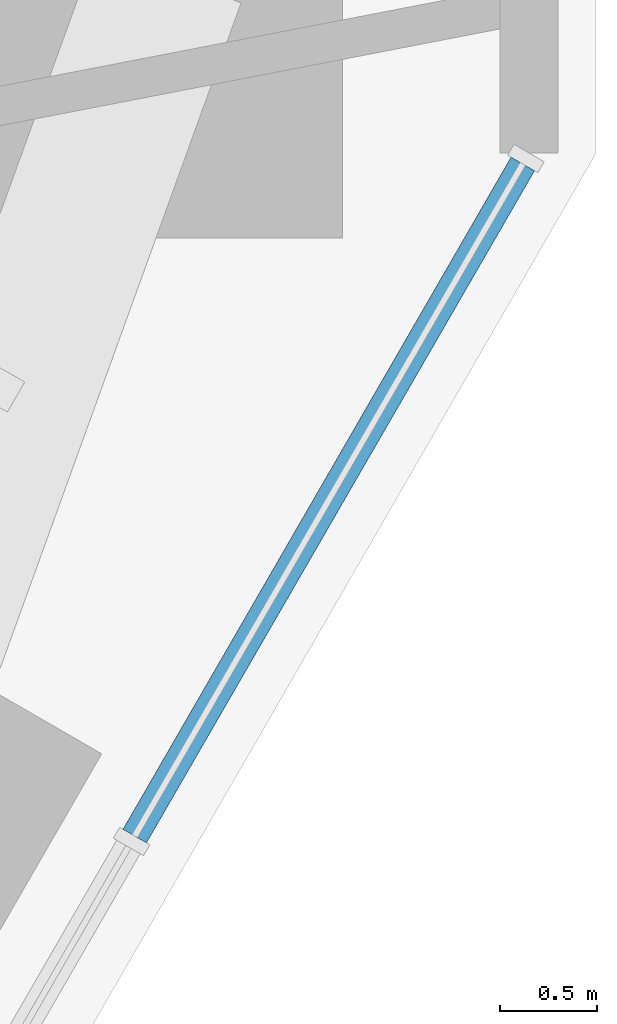
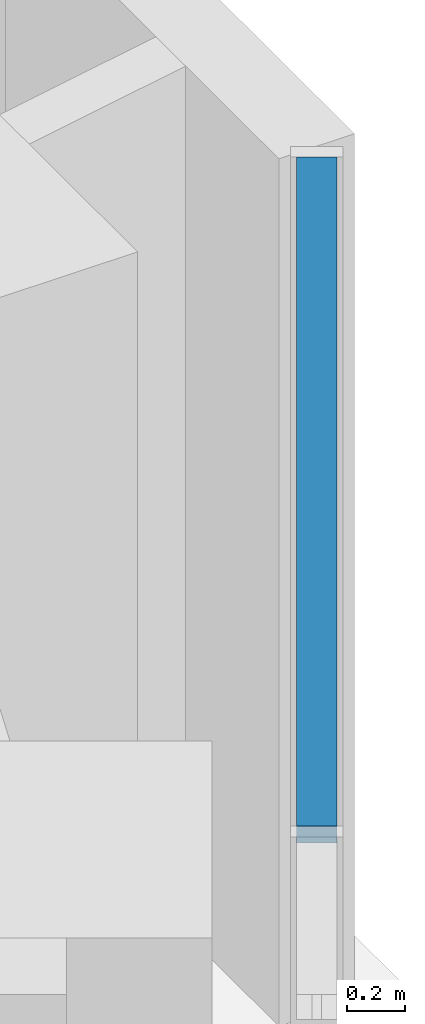
# One storey, part 6 of 17: 1 member, 1 element without a shape of its own.
"""IFC4 building model written with IfcOpenShell, lengths in metres."""

from ifc_helpers import new_model, si_unit, direction, frame, origin, origin_2d, place, context, subcontext, project, spatial, rectangle, extrude, material, material_profile, profile_set, type_object, element, aggregate, save


model = new_model("IFC4")

# Units and contexts
model_context = context("Model", 3, precision=1e-05, world=origin(), true_north=direction((0.0, 1.0)))
body_context = subcontext(model_context, "Body", "Model", "MODEL_VIEW")
ifc_project = project(units=[si_unit("LENGTHUNIT", "METRE"), si_unit("AREAUNIT", "SQUARE_METRE"), si_unit("VOLUMEUNIT", "CUBIC_METRE"), si_unit("PLANEANGLEUNIT", "RADIAN"), si_unit("MASSUNIT", "GRAM", prefix="KILO")], contexts=[model_context])

# Site, building, storey
site_placement = place(None, origin())
site = spatial("IfcSite", under=ifc_project, at=site_placement, CompositionType="ELEMENT")
building_placement = place(site_placement, origin())
building = spatial("IfcBuilding", under=site, at=building_placement, Name="Sandreach Pilgrim Tower", CompositionType="ELEMENT")
storey_placement = place(building_placement, frame((0.0, 0.0, 127.199951171875)))
storey = spatial("IfcBuildingStorey", under=building, at=storey_placement, Name="L31", CompositionType="ELEMENT", Elevation=127.199951171875)

# Curtain wall, member
ifc_material_1 = material(Name="Aluminium framed curtain wall", Category="aluminium")
curtain_wall_type = type_object("IfcCurtainWallType", Name="Hotel tower curtain wall", PredefinedType="NOTDEFINED", material=ifc_material_1)
curtain_wall_placement = place(storey_placement, origin())
curtain_wall = element("IfcCurtainWall", 1, at=curtain_wall_placement, inside=storey, type_object=curtain_wall_type, Name="CW-2 L31 SE", PredefinedType="NOTDEFINED")
ifc_material_2 = material(Name="Aluminium extrusion", Category="aluminium")
ifc_material_profile = material_profile(ifc_material_2, rectangle(XDim=0.139892578125, YDim=0.070068359375, at=origin_2d()), Name="CW-2T 140X70")
ifc_profile_set = profile_set([ifc_material_profile], Name="Aluminium extrusion")
member_type = type_object("IfcMemberType", Name="CW-2 transom", PredefinedType="USERDEFINED", material=ifc_profile_set)
member_placement = place(storey_placement, frame((28.6884765625, 4.7021484375, 3.60498046875), z_axis=(-0.500015851672, -0.866016251624, 0.0), x_axis=(0.866016251624, -0.500015851672, 0.0)))
member = element("IfcMember", 2, at=member_placement, type_object=member_type, Name="CW-2 head transom 1", ObjectType="TRANSOM", PredefinedType="USERDEFINED", context=body_context, shape_type="SweptSolid", body=[
    extrude(rectangle(XDim=0.139892578125, YDim=0.070068359375, at=origin_2d()), origin(), (0.0, 0.0, 1.0), 4.009521484375),
])
aggregate(curtain_wall, [member])

save(model, "model.ifc")
